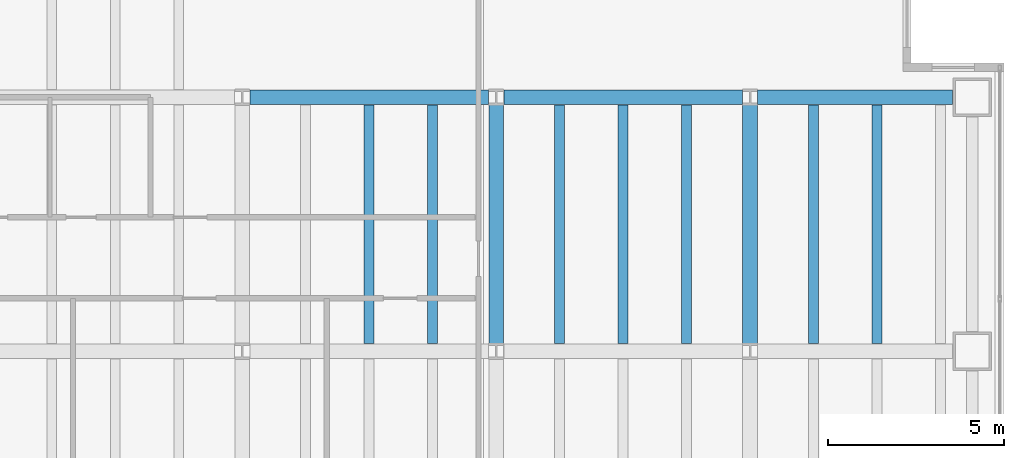
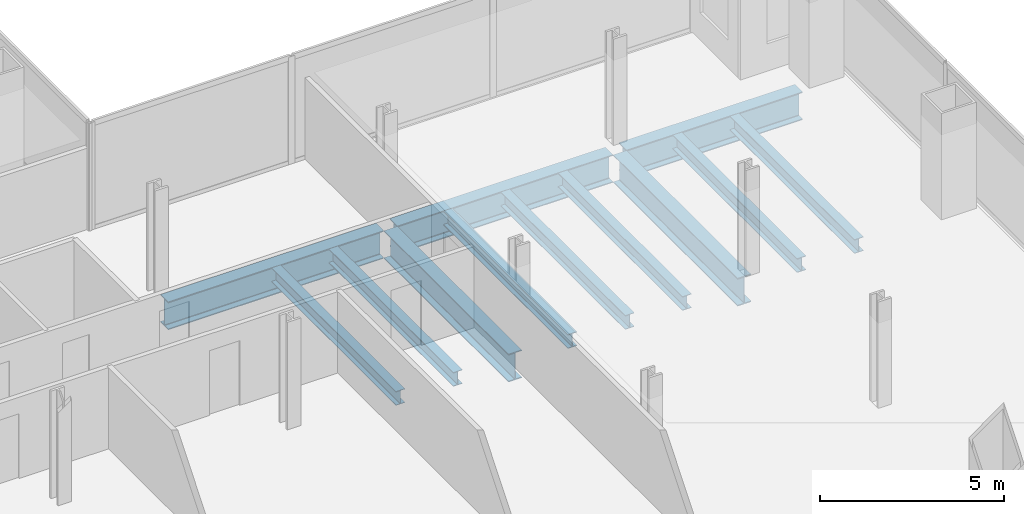
# One storey, part 11 of 25: 12 beams.
"""IFC4 building model written with IfcOpenShell, lengths in metres."""

from ifc_helpers import new_model, si_unit, direction, frame, origin, origin_2d, place, context, subcontext, project, spatial, i_section, extrude, material, material_profile, profile_set, type_object, element, save


model = new_model("IFC4")

# Units and contexts
model_context = context("Model", 3, precision=1e-05, world=origin(), true_north=direction((0.0, 1.0)))
body_context = subcontext(model_context, "Body", "Model", "MODEL_VIEW")
ifc_project = project(units=[si_unit("LENGTHUNIT", "METRE"), si_unit("AREAUNIT", "SQUARE_METRE"), si_unit("VOLUMEUNIT", "CUBIC_METRE"), si_unit("PLANEANGLEUNIT", "RADIAN"), si_unit("MASSUNIT", "GRAM", prefix="KILO")], contexts=[model_context])

# Site, building, storey
site_placement = place(None, origin())
site = spatial("IfcSite", under=ifc_project, at=site_placement, CompositionType="ELEMENT")
building_placement = place(site_placement, origin())
building = spatial("IfcBuilding", under=site, at=building_placement, Name="Cobrela Telecom Tower", CompositionType="ELEMENT")
storey_placement = place(building_placement, frame((0.0, 0.0, 42.699951171875)))
storey = spatial("IfcBuildingStorey", under=building, at=storey_placement, Name="L10", CompositionType="ELEMENT", Elevation=42.699951171875)

# Beams
ifc_material = material(Name="Steel ASTM A992 Grade 50", Category="steel")
ifc_material_profile_1 = material_profile(ifc_material, i_section(OverallWidth=0.4189453125, OverallDepth=0.927001953125, WebThickness=0.019287109375, FlangeThickness=0.031982421875, FilletRadius=0.02392578125, at=origin_2d()), Name="W36X231")
ifc_profile_set_1 = profile_set([ifc_material_profile_1], Name="Steel ASTM A992 Grade 50")
beam_type_1 = type_object("IfcBeamType", Name="BM-GIRD-02", PredefinedType="USERDEFINED", material=ifc_profile_set_1)
for number, where, z_axis, x_axis, name in (
    (1, (29.01611328125, 21.60009765625, -0.743408203125), (1.0, 0.0, 0.0), (0.0, 1.0, 0.0), "L10 Primary Girder X20"),
    (2, (36.216064453125, 21.60009765625, -0.743408203125), (1.0, 0.0, 0.0), (0.0, 1.0, 0.0), "L10 Primary Girder X21"),
):
    element("IfcBeam", number, at=place(storey_placement, frame(where, z_axis=z_axis, x_axis=x_axis)), inside=storey, type_object=beam_type_1, Name=name, ObjectType="GIRDER", PredefinedType="USERDEFINED", context=body_context, shape_type="SweptSolid", body=[
        extrude(i_section(OverallWidth=0.4189453125, OverallDepth=0.927001953125, WebThickness=0.019287109375, FlangeThickness=0.031982421875, FilletRadius=0.02392578125, at=origin_2d()), origin(), (0.0, 0.0, 1.0), 6.767822265625),
    ])
beam_placement = place(storey_placement, frame((43.416015625, 21.60009765625, -0.743408203125), z_axis=(1.0, 0.0, 0.0), x_axis=(0.0, 1.0, 0.0)))
element("IfcBeam", 3, at=beam_placement, inside=storey, type_object=beam_type_1, Name="L10 Primary Girder X22", ObjectType="GIRDER", PredefinedType="USERDEFINED", context=body_context, shape_type="SweptSolid", body=[
    extrude(i_section(OverallWidth=0.4189453125, OverallDepth=0.927001953125, WebThickness=0.019287109375, FlangeThickness=0.031982421875, FilletRadius=0.02392578125, at=origin_2d()), origin(), (0.0, 0.0, 1.0), 5.529052734375),
])
for number, where, z_axis, x_axis, name in (
    (4, (36.0, 14.615966796875, -0.743408203125), (0.0, 1.0, 0.0), (-1.0, 0.0, 0.0), "L10 Primary Girder Y52"),
    (5, (43.199951171875, 14.615966796875, -0.743408203125), (0.0, 1.0, 0.0), (-1.0, 0.0, 0.0), "L10 Primary Girder Y55"),
):
    element("IfcBeam", number, at=place(storey_placement, frame(where, z_axis=z_axis, x_axis=x_axis)), inside=storey, type_object=beam_type_1, Name=name, ObjectType="GIRDER", PredefinedType="USERDEFINED", context=body_context, shape_type="SweptSolid", body=[
        extrude(i_section(OverallWidth=0.4189453125, OverallDepth=0.927001953125, WebThickness=0.019287109375, FlangeThickness=0.031982421875, FilletRadius=0.02392578125, at=origin_2d()), origin(), (0.0, 0.0, 1.0), 6.76806640625),
    ])
ifc_material_profile_2 = material_profile(ifc_material, i_section(OverallWidth=0.281982421875, OverallDepth=0.467041015625, WebThickness=0.01220703125, FlangeThickness=0.01953125, FilletRadius=0.012939453125, at=origin_2d()), Name="W18X86")
ifc_profile_set_2 = profile_set([ifc_material_profile_2], Name="Steel ASTM A992 Grade 50")
beam_type_2 = type_object("IfcBeamType", Name="BM-JOIST-02", PredefinedType="JOIST", material=ifc_profile_set_2)
for number, where, z_axis, x_axis, name in (
    (6, (32.39990234375, 14.614501953125, -0.513427734375), (0.0, 1.0, 0.0), (-1.0, 0.0, 0.0), "L10 Secondary Composite Floor Beam J46"),
    (7, (34.199951171875, 14.614501953125, -0.513427734375), (0.0, 1.0, 0.0), (-1.0, 0.0, 0.0), "L10 Secondary Composite Floor Beam J49"),
    (8, (37.800048828125, 14.614501953125, -0.513427734375), (0.0, 1.0, 0.0), (-1.0, 0.0, 0.0), "L10 Secondary Composite Floor Beam J52"),
    (9, (39.60009765625, 14.614501953125, -0.513427734375), (0.0, 1.0, 0.0), (-1.0, 0.0, 0.0), "L10 Secondary Composite Floor Beam J55"),
    (10, (41.39990234375, 14.614501953125, -0.513427734375), (0.0, 1.0, 0.0), (-1.0, 0.0, 0.0), "L10 Secondary Composite Floor Beam J58"),
    (11, (45.0, 14.614501953125, -0.513427734375), (0.0, 1.0, 0.0), (-1.0, 0.0, 0.0), "L10 Secondary Composite Floor Beam J60"),
    (12, (46.800048828125, 14.614501953125, -0.513427734375), (0.0, 1.0, 0.0), (-1.0, 0.0, 0.0), "L10 Secondary Composite Floor Beam J62"),
):
    element("IfcBeam", number, at=place(storey_placement, frame(where, z_axis=z_axis, x_axis=x_axis)), inside=storey, type_object=beam_type_2, Name=name, PredefinedType="JOIST", context=body_context, shape_type="SweptSolid", body=[
        extrude(i_section(OverallWidth=0.281982421875, OverallDepth=0.467041015625, WebThickness=0.01220703125, FlangeThickness=0.01953125, FilletRadius=0.012939453125, at=origin_2d()), origin(), (0.0, 0.0, 1.0), 6.77099609375),
    ])

save(model, "model.ifc")
